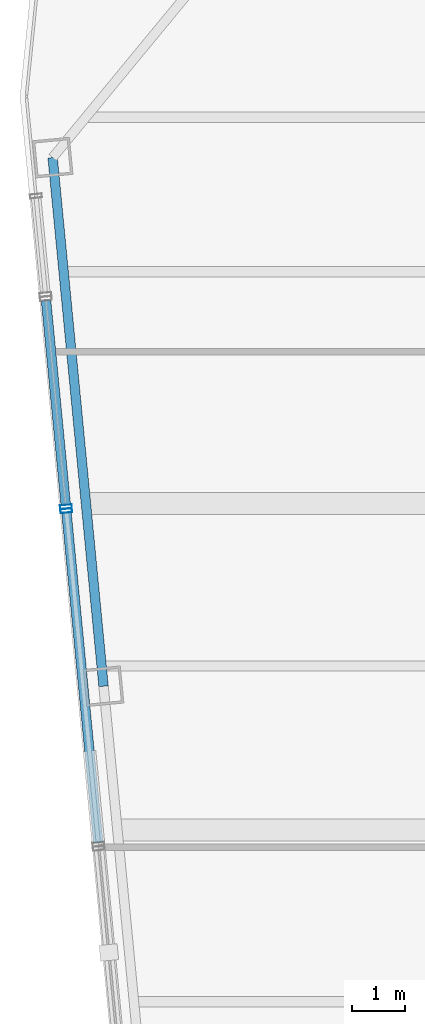
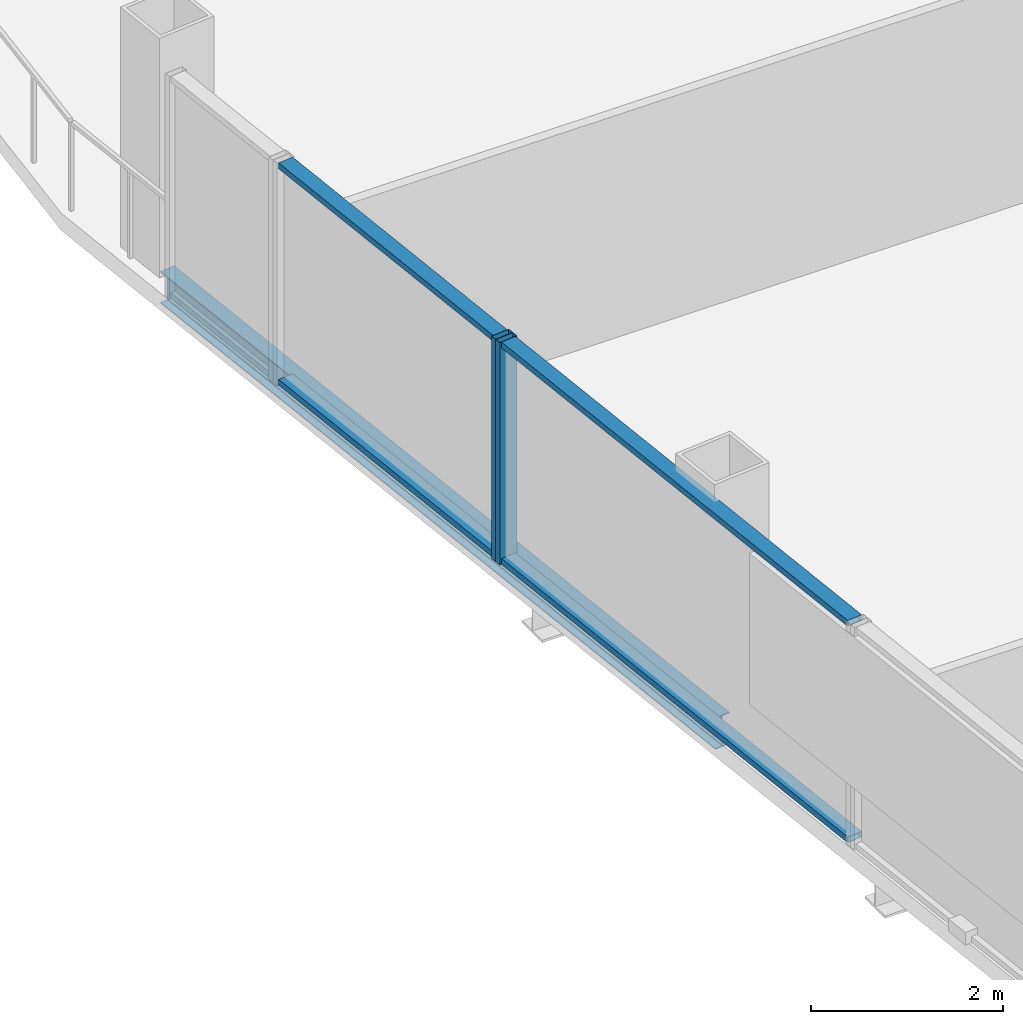
# One storey, part 7 of 22: 6 members, 1 beam, 2 elements without a shape of their own.
"""IFC4 building model written with IfcOpenShell, lengths in metres."""

from ifc_helpers import new_model, si_unit, direction, frame, origin, origin_2d, place, context, subcontext, project, spatial, hollow_rectangle, i_section, extrude, material, layer, layer_set, material_profile, profile_set, type_object, element, aggregate, save


model = new_model("IFC4")

# Units and contexts
model_context = context("Model", 3, precision=1e-05, world=origin(), true_north=direction((0.0, 1.0)))
body_context = subcontext(model_context, "Body", "Model", "MODEL_VIEW")
ifc_project = project(units=[si_unit("LENGTHUNIT", "METRE"), si_unit("AREAUNIT", "SQUARE_METRE"), si_unit("VOLUMEUNIT", "CUBIC_METRE"), si_unit("PLANEANGLEUNIT", "RADIAN"), si_unit("MASSUNIT", "GRAM", prefix="KILO")], contexts=[model_context])

# Site, building, storey
site_placement = place(None, origin())
site = spatial("IfcSite", under=ifc_project, at=site_placement, CompositionType="ELEMENT")
building_placement = place(site_placement, origin())
building = spatial("IfcBuilding", under=site, at=building_placement, Name="Qhalaya Broadcast Tower", CompositionType="ELEMENT")
storey_placement = place(building_placement, frame((0.0, 0.0, 174.449951171875)))
storey = spatial("IfcBuildingStorey", under=building, at=storey_placement, Name="L51", CompositionType="ELEMENT", Elevation=174.449951171875)

# Curtain wall, member
ifc_material_1 = material(Name="Solar-Control Low-E Triple Glazing", Category="glass")
ifc_layer_1 = layer(ifc_material_1, 0.219970703125, Name="Solar-Control Low-E Triple Glazing")
ifc_layer_set_1 = layer_set([ifc_layer_1], Name="Solar-Control Low-E Triple Glazing")
curtain_wall_type_1 = type_object("IfcCurtainWallType", Name="Even-Block 4-Storey Double-Module Curtain Wall CW-03", PredefinedType="NOTDEFINED", material=ifc_layer_set_1)
curtain_wall_1_placement = place(storey_placement, origin())
curtain_wall_1 = element("IfcCurtainWall", 1, at=curtain_wall_1_placement, inside=storey, type_object=curtain_wall_type_1, Name="L51 Unitised Curtain Wall L51-CW-W2", PredefinedType="NOTDEFINED")
ifc_material_2 = material(Name="Anodised Aluminium 6063-T6", Category="aluminium")
ifc_material_profile_1 = material_profile(ifc_material_2, hollow_rectangle(XDim=0.074951171875, YDim=0.219970703125, WallThickness=0.00390625, at=origin_2d()), Name="ALU-MUL 75x220x4")
ifc_profile_set_1 = profile_set([ifc_material_profile_1], Name="Anodised Aluminium 6063-T6")
member_type_1 = type_object("IfcMemberType", Name="Unitised Curtain-Wall Mullion M01", PredefinedType="MULLION", material=ifc_profile_set_1)
member_1_placement = place(storey_placement, frame((-25.278564453125, 9.88916015625, 0.0), z_axis=(0.0, 0.0, 1.0), x_axis=(0.095850516284, -0.995395739657, 0.0)))
member_1 = element("IfcMember", 2, at=member_1_placement, type_object=member_type_1, Name="CW-03 mullion 2", PredefinedType="MULLION", context=body_context, shape_type="SweptSolid", body=[
    extrude(hollow_rectangle(XDim=0.074951171875, YDim=0.219970703125, WallThickness=0.00390625, at=origin_2d()), origin(), (0.0, 0.0, 1.0), 2.830078125),
])

ifc_material_3 = material(Name="Fired Architectural Terracotta", Category="masonry")
ifc_layer_2 = layer(ifc_material_3, 0.219970703125, Name="Fired Architectural Terracotta")
ifc_layer_set_2 = layer_set([ifc_layer_2], Name="Fired Architectural Terracotta")
curtain_wall_type_2 = type_object("IfcCurtainWallType", Name="Block-Cap Unitised Terracotta Spandrel Wall CW-07", PredefinedType="NOTDEFINED", material=ifc_layer_set_2)
curtain_wall_2_placement = place(storey_placement, origin())
curtain_wall_2 = element("IfcCurtainWall", 3, at=curtain_wall_2_placement, inside=storey, type_object=curtain_wall_type_2, Name="L51 Unitised Curtain Wall L51-CW-W3", PredefinedType="NOTDEFINED")
member_2_placement = place(storey_placement, frame((-25.271484375, 9.814453125, 0.0), z_axis=(0.0, 0.0, 1.0), x_axis=(0.095836642528, -0.995397075518, 0.0)))
member_2 = element("IfcMember", 4, at=member_2_placement, type_object=member_type_1, Name="CW-07 mullion 1", PredefinedType="MULLION", context=body_context, shape_type="SweptSolid", body=[
    extrude(hollow_rectangle(XDim=0.074951171875, YDim=0.219970703125, WallThickness=0.00390625, at=origin_2d()), origin(), (0.0, 0.0, 1.0), 2.830078125),
])

# Member
ifc_material_profile_2 = material_profile(ifc_material_2, hollow_rectangle(XDim=0.074951171875, YDim=0.179931640625, WallThickness=0.00390625, at=origin_2d()), Name="ALU-TRN 75x180x4")
ifc_profile_set_2 = profile_set([ifc_material_profile_2], Name="Anodised Aluminium 6063-T6")
member_type_2 = type_object("IfcMemberType", Name="Unitised Curtain-Wall Transom T01", PredefinedType="USERDEFINED", material=ifc_profile_set_2)
member_3_placement = place(storey_placement, frame((-25.6513671875, 13.759765625, 0.03759765625), z_axis=(0.09585615801, -0.995395196378, 0.0), x_axis=(0.0, 0.0, 1.0)))
member_3 = element("IfcMember", 5, at=member_3_placement, type_object=member_type_2, Name="CW-03 transom 1.1", ObjectType="TRANSOM", PredefinedType="USERDEFINED", context=body_context, shape_type="SweptSolid", body=[
    extrude(hollow_rectangle(XDim=0.074951171875, YDim=0.179931640625, WallThickness=0.00390625, at=origin_2d()), origin(), (0.0, 0.0, 1.0), 3.85107421875),
])

member_4_placement = place(storey_placement, frame((-25.6513671875, 13.759765625, 2.79248046875), z_axis=(0.09585615801, -0.995395196378, 0.0), x_axis=(0.0, 0.0, 1.0)))
member_4 = element("IfcMember", 6, at=member_4_placement, type_object=member_type_2, Name="CW-03 transom 1.2", ObjectType="TRANSOM", PredefinedType="USERDEFINED", context=body_context, shape_type="SweptSolid", body=[
    extrude(hollow_rectangle(XDim=0.074951171875, YDim=0.179931640625, WallThickness=0.00390625, at=origin_2d()), origin(), (0.0, 0.0, 1.0), 3.85107421875),
])

aggregate(curtain_wall_1, [member_1, member_3, member_4])

member_5_placement = place(storey_placement, frame((-25.267822265625, 9.777099609375, 0.03759765625), z_axis=(0.095850882776, -0.995395704366, 0.0), x_axis=(0.0, 0.0, 1.0)))
member_5 = element("IfcMember", 7, at=member_5_placement, type_object=member_type_2, Name="CW-07 transom 1.1", ObjectType="TRANSOM", PredefinedType="USERDEFINED", context=body_context, shape_type="SweptSolid", body=[
    extrude(hollow_rectangle(XDim=0.074951171875, YDim=0.179931640625, WallThickness=0.00390625, at=origin_2d()), origin(), (0.0, 0.0, 1.0), 6.21484375),
])

member_6_placement = place(storey_placement, frame((-25.267822265625, 9.777099609375, 2.79248046875), z_axis=(0.095850882776, -0.995395704366, 0.0), x_axis=(0.0, 0.0, 1.0)))
member_6 = element("IfcMember", 8, at=member_6_placement, type_object=member_type_2, Name="CW-07 transom 1.2", ObjectType="TRANSOM", PredefinedType="USERDEFINED", context=body_context, shape_type="SweptSolid", body=[
    extrude(hollow_rectangle(XDim=0.074951171875, YDim=0.179931640625, WallThickness=0.00390625, at=origin_2d()), origin(), (0.0, 0.0, 1.0), 6.21484375),
])

aggregate(curtain_wall_2, [member_2, member_5, member_6])

# Beam
ifc_material_4 = material(Name="Structural Steel ASTM A992 Grade 50", Category="steel")
ifc_material_profile_3 = material_profile(ifc_material_4, i_section(OverallWidth=0.177978515625, OverallDepth=0.406005859375, WebThickness=0.0078125, FlangeThickness=0.0126953125, at=origin_2d()), Name="W16X40")
ifc_profile_set_3 = profile_set([ifc_material_profile_3], Name="Structural Steel ASTM A992 Grade 50")
beam_type = type_object("IfcBeamType", Name="Upper Perimeter Spandrel Beam SP2", PredefinedType="SPANDREL", material=ifc_profile_set_3)
beam_placement = place(storey_placement, frame((-25.52783203125, 16.44189453125, -0.4228515625), z_axis=(0.095852900965, -0.995395510024, 0.0), x_axis=(0.995395510024, 0.095852900965, 0.0)))
element("IfcBeam", 9, at=beam_placement, inside=storey, type_object=beam_type, Name="L51 SP2 L51-SPR-13", PredefinedType="SPANDREL", context=body_context, shape_type="SweptSolid", body=[
    extrude(i_section(OverallWidth=0.177978515625, OverallDepth=0.406005859375, WebThickness=0.0078125, FlangeThickness=0.0126953125, at=origin_2d()), origin(), (0.0, 0.0, 1.0), 9.966552734375),
])

save(model, "model.ifc")
